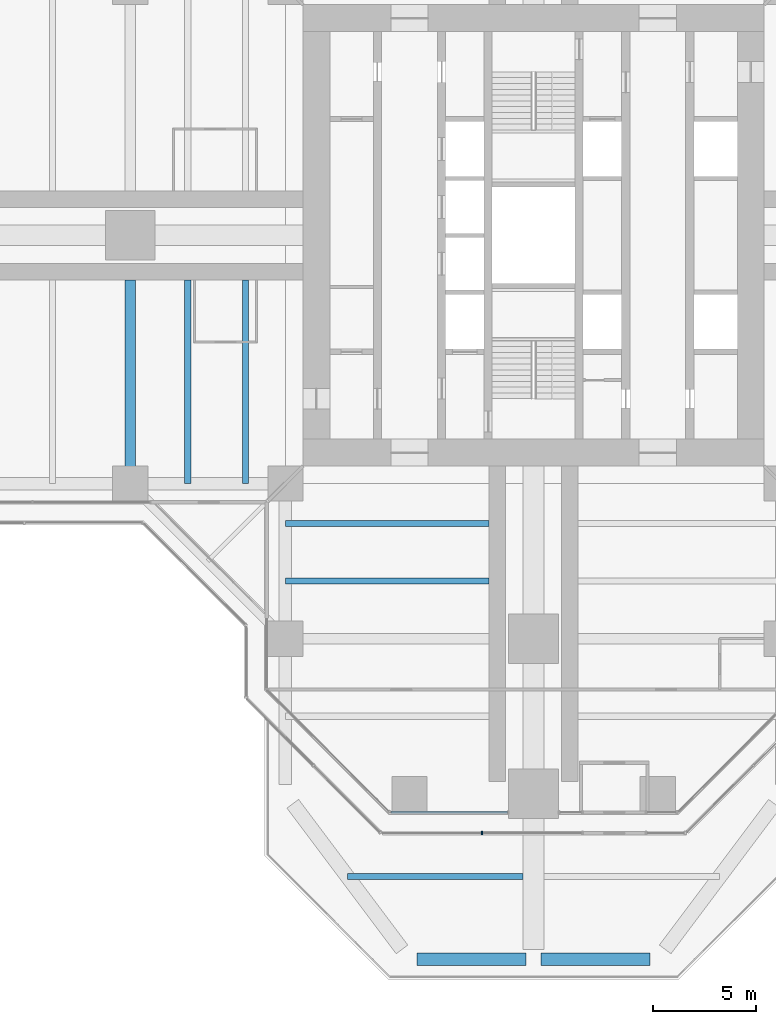
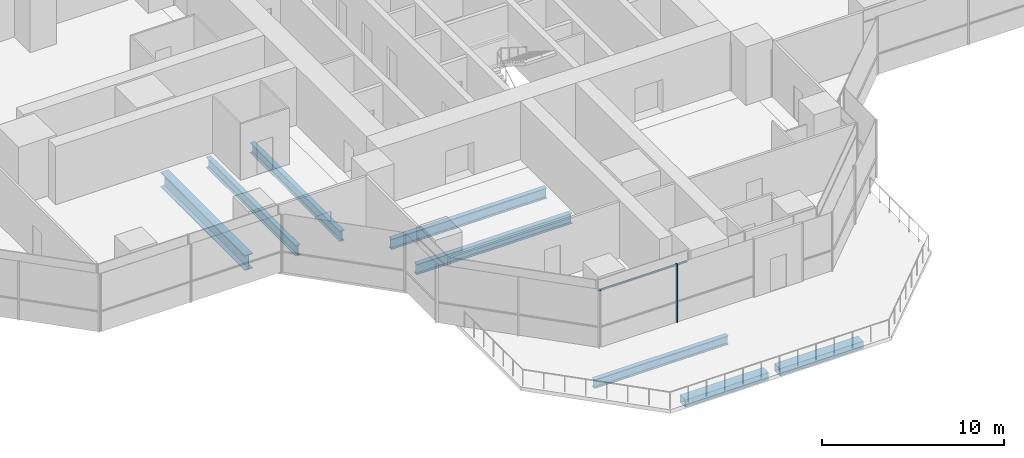
# One storey, part 4 of 21: 8 beams, 2 members, 2 elements without a shape of their own.
"""IFC4 building model written with IfcOpenShell, lengths in metres."""

import ifcopenshell
import ifcopenshell.guid

model = None  # the IFC model being written
_history = None  # IfcOwnerHistory: only IFC2X3 demands one
_inside = {}  # id of a spatial element -> (the spatial element, [elements in it])
_under = {}  # id of a project, library or spatial element -> (it, [spatial elements below it])
_declared = {}  # id of a project -> (the project, [libraries it declares])
_typed = {}  # id of a type object -> (the type object, [elements of that type])
_made_of = {}  # id of a material, layer set ... -> (it, [elements and type objects made of it])


def new_model(schema):
    """Start an empty IFC model of exactly this schema.

    Asked for "IFC4X3", IfcOpenShell would pick the latest addendum, in which some entities
    have other attributes; the version numbers below select the first issue.
    IFC2X3 requires an IfcOwnerHistory on every rooted entity: one is made here for all.
    """
    global model, _history
    if schema == "IFC4X3":
        model = ifcopenshell.file(schema_version=(4, 3, 0, 0))
    else:
        model = ifcopenshell.file(schema=schema)
    _inside.clear()
    _under.clear()
    _declared.clear()
    _typed.clear()
    _made_of.clear()
    _history = None
    if model.schema == "IFC2X3":
        org = make("IfcOrganization", Name="unknown")
        user = make(
            "IfcPersonAndOrganization",
            ThePerson=make("IfcPerson", FamilyName="unknown"),
            TheOrganization=org,
        )
        app = make(
            "IfcApplication",
            ApplicationDeveloper=org,
            Version="unknown",
            ApplicationFullName="unknown",
            ApplicationIdentifier="unknown",
        )
        _history = make(
            "IfcOwnerHistory",
            OwningUser=user,
            OwningApplication=app,
            ChangeAction="ADDED",
            CreationDate=0,
        )
    return model


def make(cls, **values):
    """One entity of the class cls with the attributes given. An attribute that is None is left unset."""
    return model.create_entity(
        cls, **{name: value for name, value in values.items() if value is not None}
    )


def rooted(cls, **values):
    """An entity with a GlobalId (a new one), such as an element, a storey or a relation."""
    return make(cls, GlobalId=ifcopenshell.guid.new(), OwnerHistory=_history, **values)


def si_unit(unit_type, name, prefix=None):
    """IfcSIUnit, for example si_unit("LENGTHUNIT", "METRE", prefix="MILLI")."""
    return make("IfcSIUnit", UnitType=unit_type, Prefix=prefix, Name=name)


def assignment(units):
    """IfcUnitAssignment: the units of a project."""
    return None if units is None else make("IfcUnitAssignment", Units=units)


def point(xyz):
    """IfcCartesianPoint."""
    return None if xyz is None else make("IfcCartesianPoint", Coordinates=xyz)


def direction(xyz):
    """IfcDirection."""
    return None if xyz is None else make("IfcDirection", DirectionRatios=xyz)


def frame(location, z_axis=None, x_axis=None):
    """IfcAxis2Placement3D, a coordinate frame: its origin and axes. An axis left out is left unset."""
    return make(
        "IfcAxis2Placement3D",
        Location=point(location),
        Axis=direction(z_axis),
        RefDirection=direction(x_axis),
    )


def frame_2d(location, x_axis=None):
    """IfcAxis2Placement2D, a coordinate frame in the plane: its origin and x axis."""
    return make(
        "IfcAxis2Placement2D", Location=point(location), RefDirection=direction(x_axis)
    )


def origin():
    """The frame at (0, 0, 0) with its axes left unset."""
    return frame((0.0, 0.0, 0.0))


def origin_2d():
    """The frame at (0, 0) in the plane with its x axis left unset."""
    return frame_2d((0.0, 0.0))


def place(relative_to, where):
    """IfcLocalPlacement: puts the frame where relative to a parent placement (None: the world)."""
    return make(
        "IfcLocalPlacement", PlacementRelTo=relative_to, RelativePlacement=where
    )


def context(
    kind, dimensions, precision=None, world=None, true_north=None, identifier=None
):
    """IfcGeometricRepresentationContext, for example the 3D "Model" context."""
    return make(
        "IfcGeometricRepresentationContext",
        ContextIdentifier=identifier,
        ContextType=kind,
        CoordinateSpaceDimension=dimensions,
        Precision=precision,
        WorldCoordinateSystem=world,
        TrueNorth=true_north,
    )


def subcontext(parent, identifier, kind, view, scale=None):
    """IfcGeometricRepresentationSubContext, for example "Body" below "Model"."""
    return make(
        "IfcGeometricRepresentationSubContext",
        ContextIdentifier=identifier,
        ContextType=kind,
        ParentContext=parent,
        TargetScale=scale,
        TargetView=view,
    )


def project(units=None, contexts=None):
    """IfcProject with its units and contexts."""
    return rooted(
        "IfcProject",
        Name="project",
        RepresentationContexts=contexts,
        UnitsInContext=assignment(units),
    )


def spatial(cls, under=None, at=None, **own):
    """A site, building, storey or space (cls), placed at a placement, below another one or the project."""
    s = rooted(cls, ObjectPlacement=at, **own)
    if under is not None:
        _under.setdefault(under.id(), (under, []))[1].append(s)
    return s


def profile(cls, at=None, kind="AREA", **sizes):
    """A parametric profile (cls). Its sizes go by their IFC names, for example OverallWidth=200.0."""
    return make(cls, ProfileType=kind, Position=at, **sizes)


def rectangle(**sizes):
    """IfcRectangleProfileDef."""
    return profile("IfcRectangleProfileDef", **sizes)


def hollow_rectangle(**sizes):
    """IfcRectangleHollowProfileDef."""
    return profile("IfcRectangleHollowProfileDef", **sizes)


def i_section(**sizes):
    """IfcIShapeProfileDef."""
    return profile("IfcIShapeProfileDef", **sizes)


def extrude(swept, where, along, depth):
    """IfcExtrudedAreaSolid: the profile swept, set in the frame where, extruded along a direction by depth."""
    return make(
        "IfcExtrudedAreaSolid",
        SweptArea=swept,
        Position=where,
        ExtrudedDirection=direction(along),
        Depth=depth,
    )


def shape(context_of_items, identifier, shape_type, items):
    """IfcShapeRepresentation: the items that make up one representation, for example the "Body"."""
    return make(
        "IfcShapeRepresentation",
        ContextOfItems=context_of_items,
        RepresentationIdentifier=identifier,
        RepresentationType=shape_type,
        Items=items,
    )


def material(Name=None, Category=None):
    """IfcMaterial."""
    return make("IfcMaterial", Name=Name, Category=Category)


def material_profile(
    of_material, cross_section, Name=None, Category=None, Priority=None
):
    """IfcMaterialProfile: a cross section and its material."""
    return make(
        "IfcMaterialProfile",
        Name=Name,
        Material=of_material,
        Profile=cross_section,
        Priority=Priority,
        Category=Category,
    )


def profile_set(profiles, Name=None, composite=None):
    """IfcMaterialProfileSet."""
    return make(
        "IfcMaterialProfileSet",
        Name=Name,
        MaterialProfiles=profiles,
        CompositeProfile=composite,
    )


def made_of(thing, what):
    """Note that an element or type object is made of a material, layer set ...; save() writes the relation."""
    if what is not None:
        _made_of.setdefault(what.id(), (what, []))[1].append(thing)
    return thing


def type_object(cls, material=None, **own):
    """A type object (cls), such as IfcWallType, which elements share."""
    return made_of(rooted(cls, **own), material)


def element(
    cls,
    number,
    at=None,
    inside=None,
    cuts=None,
    type_object=None,
    material=None,
    context=None,
    identifier="Body",
    shape_type=None,
    held_by="IfcProductDefinitionShape",
    body=None,
    shapes=None,
    **own,
):
    """One element of the class cls, such as IfcWall. Its Tag is "e" and its number.

    at: its placement. inside: the storey or other place that contains it. cuts: it is an
    opening in that element (IfcRelVoidsElement). A single representation is given by context,
    identifier, shape_type and body (its items); several are given by shapes. held_by: the class
    of the entity that holds the representations. save() writes the other relations.
    """
    e = rooted(cls, Tag="e%d" % number, ObjectPlacement=at, **own)
    if body is not None:
        shapes = [shape(context, identifier, shape_type, body)]
    if shapes is not None:
        e.Representation = make(held_by, Representations=shapes)
    if inside is not None:
        _inside.setdefault(inside.id(), (inside, []))[1].append(e)
    if cuts is not None:
        rooted(
            "IfcRelVoidsElement", RelatingBuildingElement=cuts, RelatedOpeningElement=e
        )
    if type_object is not None:
        _typed.setdefault(type_object.id(), (type_object, []))[1].append(e)
    return made_of(e, material)


def aggregate(whole, parts):
    """IfcRelAggregates: a whole, such as a stair, and the parts it consists of."""
    return rooted("IfcRelAggregates", RelatingObject=whole, RelatedObjects=parts)


def save(model, path):
    """Write the relations noted so far, then the file.

    IfcRelAggregates (storeys below a building ...), IfcRelContainedInSpatialStructure (elements
    in a storey), IfcRelDefinesByType, IfcRelAssociatesMaterial and IfcRelDeclares: one each for
    every whole, place, type object, material and project.
    """
    for whole, parts in _under.values():
        aggregate(whole, parts)
    for where, things in _inside.values():
        rooted(
            "IfcRelContainedInSpatialStructure",
            RelatedElements=things,
            RelatingStructure=where,
        )
    for kind, things in _typed.values():
        rooted("IfcRelDefinesByType", RelatedObjects=things, RelatingType=kind)
    for what, things in _made_of.values():
        rooted("IfcRelAssociatesMaterial", RelatedObjects=things, RelatingMaterial=what)
    for by, libraries in _declared.values():
        rooted("IfcRelDeclares", RelatingContext=by, RelatedDefinitions=libraries)
    model.write(path)


model = new_model("IFC4")

# Units and contexts
model_context = context("Model", 3, precision=1e-05, world=origin(), true_north=direction((0.0, 1.0)))
body_context = subcontext(model_context, "Body", "Model", "MODEL_VIEW")
ifc_project = project(units=[si_unit("LENGTHUNIT", "METRE"), si_unit("AREAUNIT", "SQUARE_METRE"), si_unit("VOLUMEUNIT", "CUBIC_METRE"), si_unit("PLANEANGLEUNIT", "RADIAN"), si_unit("MASSUNIT", "GRAM", prefix="KILO")], contexts=[model_context])

# Site, building, storey
site_placement = place(None, origin())
site = spatial("IfcSite", under=ifc_project, at=site_placement, CompositionType="ELEMENT")
building_placement = place(site_placement, origin())
building = spatial("IfcBuilding", under=site, at=building_placement, Name="Mizan Broadcast Tower", CompositionType="ELEMENT")
storey_placement = place(building_placement, frame((0.0, 0.0, 124.199951171875)))
storey = spatial("IfcBuildingStorey", under=building, at=storey_placement, Name="L27", CompositionType="ELEMENT", Elevation=124.199951171875)

# Beams
ifc_material_1 = material(Name="Steel S355", Category="steel")
ifc_material_profile_1 = material_profile(ifc_material_1, hollow_rectangle(XDim=0.60009765625, YDim=0.5, WallThickness=0.030029296875, at=origin_2d()), Name="BOX 500x600x30")
ifc_profile_set_1 = profile_set([ifc_material_profile_1], Name="Steel S355")
beam_type_1 = type_object("IfcBeamType", Name="EDGE BEAM BOX 500x600x30", PredefinedType="SPANDREL", material=ifc_profile_set_1)
for number, where, z_axis, x_axis, name in (
    (1, (-5.639892578125, -35.0, -0.5), (1.0, 0.0, 0.0), (0.0, 1.0, 0.0), "Edge beam BOX 500x600x30 L27 south arm"),
    (2, (5.639892578125, -35.0, -0.5), (-1.0, 0.0, 0.0), (0.0, -1.0, 0.0), "Edge beam BOX 500x600x30 L27 south arm"),
):
    element("IfcBeam", number, at=place(storey_placement, frame(where, z_axis=z_axis, x_axis=x_axis)), inside=storey, type_object=beam_type_1, Name=name, PredefinedType="SPANDREL", context=body_context, shape_type="SweptSolid", body=[
        extrude(hollow_rectangle(XDim=0.60009765625, YDim=0.5, WallThickness=0.030029296875, at=origin_2d()), origin(), (0.0, 0.0, 1.0), 5.27978515625),
    ])
ifc_material_2 = material(Name="Steel S460", Category="steel")
ifc_material_profile_2 = material_profile(ifc_material_2, i_section(OverallWidth=0.5, OverallDepth=1.0, WebThickness=0.02490234375, FlangeThickness=0.050048828125, at=origin_2d()), Name="WPG 1000x500")
ifc_profile_set_2 = profile_set([ifc_material_profile_2], Name="Steel S460")
beam_type_2 = type_object("IfcBeamType", Name="GIRDER WPG 1000x500", PredefinedType="BEAM", material=ifc_profile_set_2)
beam_1_placement = place(storey_placement, frame((-19.5, -11.408935546875, -0.6298828125), z_axis=(0.0, 1.0, 0.0), x_axis=(-1.0, 0.0, 0.0)))
element("IfcBeam", 3, at=beam_1_placement, inside=storey, type_object=beam_type_2, Name="Girder WPG 1000x500 L27 west arm", PredefinedType="BEAM", context=body_context, shape_type="SweptSolid", body=[
    extrude(i_section(OverallWidth=0.5, OverallDepth=1.0, WebThickness=0.02490234375, FlangeThickness=0.050048828125, at=origin_2d()), origin(), (0.0, 0.0, 1.0), 9.259033203125),
])

# Curtain wall, member
ifc_material_3 = material(Name="Aluminium framed glazing", Category="aluminium")
curtain_wall_type_1 = type_object("IfcCurtainWallType", Name="INNER SKIN MID ZONE", PredefinedType="USERDEFINED", material=ifc_material_3)
curtain_wall_1_placement = place(storey_placement, origin())
curtain_wall_1 = element("IfcCurtainWall", 4, at=curtain_wall_1_placement, inside=storey, type_object=curtain_wall_type_1, Name="Inner skin mid zone L27 S end", ObjectType="INNER SKIN MID ZONE", PredefinedType="USERDEFINED")
ifc_material_4 = material(Name="Aluminium, pale anodised", Category="aluminium")
ifc_material_profile_3 = material_profile(ifc_material_4, rectangle(XDim=0.1201171875, YDim=0.06005859375, at=origin_2d()), Name="TRANSOM 120x60")
ifc_profile_set_3 = profile_set([ifc_material_profile_3], Name="Aluminium, pale anodised")
member_type_1 = type_object("IfcMemberType", Name="INNER SKIN TRANSOM 60x120", PredefinedType="USERDEFINED", material=ifc_profile_set_3)
member_1_placement = place(storey_placement, frame((-6.898681640625, -27.89990234375, 3.030029296875), z_axis=(1.0, 0.0, 0.0), x_axis=(0.0, 1.0, 0.0)))
member_1 = element("IfcMember", 5, at=member_1_placement, type_object=member_type_1, Name="Inner skin mid zone L27 S end transom 1.1", ObjectType="TRANSOM", PredefinedType="USERDEFINED", context=body_context, shape_type="SweptSolid", body=[
    extrude(rectangle(XDim=0.1201171875, YDim=0.06005859375, at=origin_2d()), origin(), (0.0, 0.0, 1.0), 5.638671875),
])
aggregate(curtain_wall_1, [member_1])

ifc_material_5 = material(Name="Aluminium framed glazing", Category="aluminium")
curtain_wall_type_2 = type_object("IfcCurtainWallType", Name="OUTER SKIN", PredefinedType="USERDEFINED", material=ifc_material_5)
curtain_wall_2_placement = place(storey_placement, origin())
curtain_wall_2 = element("IfcCurtainWall", 6, at=curtain_wall_2_placement, inside=storey, type_object=curtain_wall_type_2, Name="Outer skin L27 S end", ObjectType="OUTER SKIN", PredefinedType="USERDEFINED")
ifc_material_6 = material(Name="Aluminium, pale anodised", Category="aluminium")
ifc_material_profile_4 = material_profile(ifc_material_6, rectangle(XDim=0.159912109375, YDim=0.080078125, at=origin_2d()), Name="MULLION 160x80")
ifc_profile_set_4 = profile_set([ifc_material_profile_4], Name="Aluminium, pale anodised")
member_type_2 = type_object("IfcMemberType", Name="OUTER SKIN MULLION 80x160", PredefinedType="MULLION", material=ifc_profile_set_4)
member_2_placement = place(storey_placement, frame((-2.486328125, -28.89990234375, 0.0), z_axis=(0.0, 0.0, 1.0), x_axis=(0.0, 1.0, 0.0)))
member_2 = element("IfcMember", 7, at=member_2_placement, type_object=member_type_2, Name="Outer skin L27 S end mullion 2", PredefinedType="MULLION", context=body_context, shape_type="SweptSolid", body=[
    extrude(rectangle(XDim=0.159912109375, YDim=0.080078125, at=origin_2d()), origin(), (0.0, 0.0, 1.0), 3.900146484375),
])
aggregate(curtain_wall_2, [member_2])

# Beams
ifc_material_7 = material(Name="Steel S355", Category="steel")
ifc_material_profile_5 = material_profile(ifc_material_7, i_section(OverallWidth=0.300048828125, OverallDepth=0.590087890625, WebThickness=0.012939453125, FlangeThickness=0.02490234375, FilletRadius=0.027099609375, at=origin_2d()), Name="HEA 600")
ifc_profile_set_5 = profile_set([ifc_material_profile_5], Name="Steel S355")
beam_type_3 = type_object("IfcBeamType", Name="SECONDARY BEAM HEA 600", PredefinedType="JOIST", material=ifc_profile_set_5)
beam_2_placement = place(storey_placement, frame((-9.0, -31.0, -0.544921875), z_axis=(1.0, 0.0, 0.0), x_axis=(0.0, 1.0, 0.0)))
element("IfcBeam", 8, at=beam_2_placement, inside=storey, type_object=beam_type_3, Name="Secondary beam HEA 600 L27 south arm", PredefinedType="JOIST", context=body_context, shape_type="SweptSolid", body=[
    extrude(i_section(OverallWidth=0.300048828125, OverallDepth=0.590087890625, WebThickness=0.012939453125, FlangeThickness=0.02490234375, FilletRadius=0.027099609375, at=origin_2d()), origin(), (0.0, 0.0, 1.0), 8.5),
])
ifc_material_8 = material(Name="Steel S355", Category="steel")
ifc_material_profile_6 = material_profile(ifc_material_8, i_section(OverallWidth=0.300048828125, OverallDepth=0.68994140625, WebThickness=0.014404296875, FlangeThickness=0.027099609375, FilletRadius=0.027099609375, at=origin_2d()), Name="HEA 700")
ifc_profile_set_6 = profile_set([ifc_material_profile_6], Name="Steel S355")
beam_type_4 = type_object("IfcBeamType", Name="SECONDARY BEAM HEA 700", PredefinedType="JOIST", material=ifc_profile_set_6)
for number, where, z_axis, x_axis, name in (
    (9, (-13.933349609375, -12.0, -0.474853515625), (0.0, 1.0, 0.0), (-1.0, 0.0, 0.0), "Secondary beam HEA 700 L27 west arm"),
    (10, (-16.716552734375, -12.0, -0.474853515625), (0.0, 1.0, 0.0), (-1.0, 0.0, 0.0), "Secondary beam HEA 700 L27 west arm"),
    (11, (-12.0, -13.933349609375, -0.474853515625), (1.0, 0.0, 0.0), (0.0, 1.0, 0.0), "Secondary beam HEA 700 L27 south arm"),
    (12, (-12.0, -16.716552734375, -0.474853515625), (1.0, 0.0, 0.0), (0.0, 1.0, 0.0), "Secondary beam HEA 700 L27 south arm"),
):
    element("IfcBeam", number, at=place(storey_placement, frame(where, z_axis=z_axis, x_axis=x_axis)), inside=storey, type_object=beam_type_4, Name=name, PredefinedType="JOIST", context=body_context, shape_type="SweptSolid", body=[
        extrude(i_section(OverallWidth=0.300048828125, OverallDepth=0.68994140625, WebThickness=0.014404296875, FlangeThickness=0.027099609375, FilletRadius=0.027099609375, at=origin_2d()), origin(), (0.0, 0.0, 1.0), 9.85009765625),
    ])

save(model, "model.ifc")
